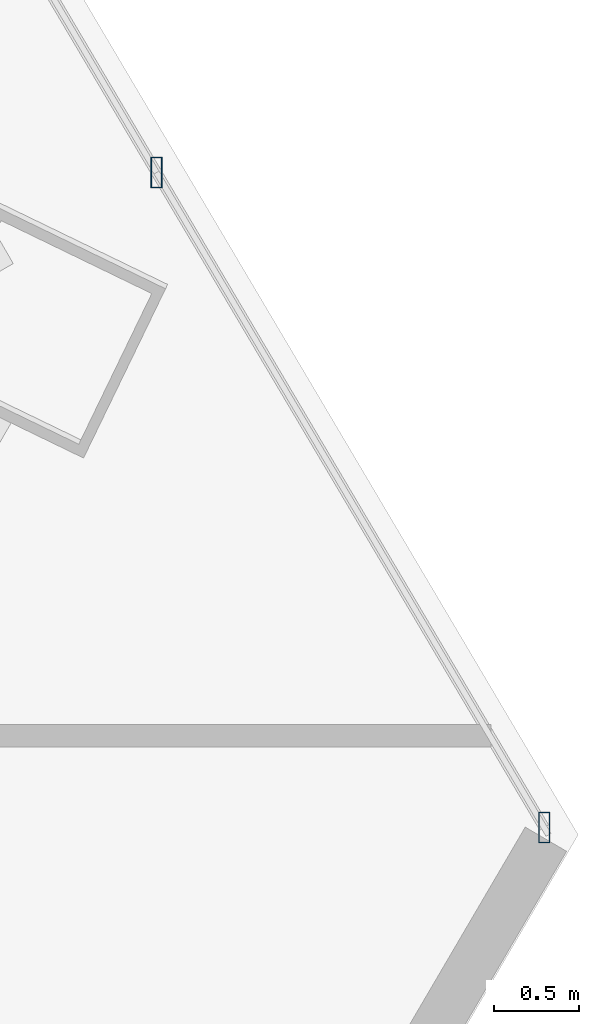
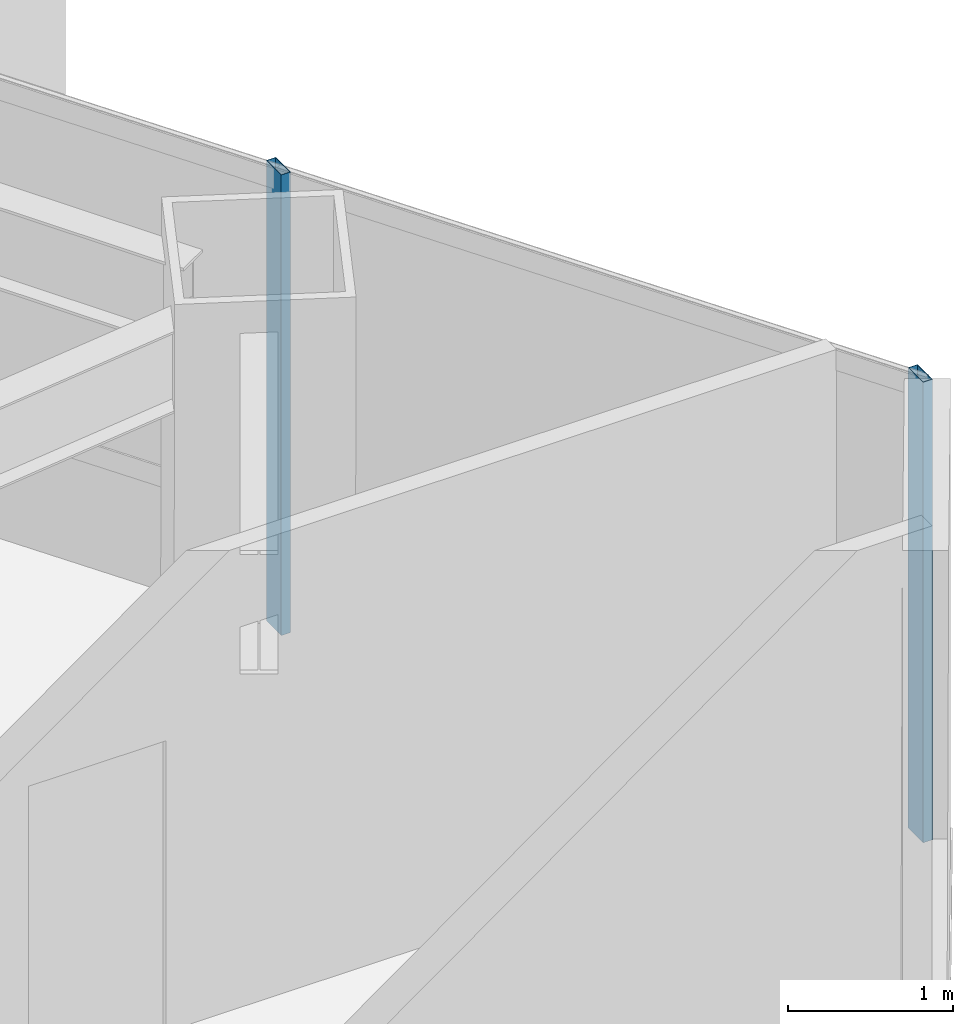
# One storey, part 20 of 35: 2 members, 1 element without a shape of its own.
"""IFC4 building model written with IfcOpenShell, lengths in metres."""

from ifc_helpers import new_model, si_unit, direction, frame, origin, origin_2d, place, context, subcontext, project, spatial, hollow_rectangle, extrude, source, transform, mapped, material, material_profile, profile_set, type_object, type_shapes, element, aggregate, save


model = new_model("IFC4")

# Units and contexts
model_context = context("Model", 3, precision=1e-05, world=origin(), true_north=direction((0.0, 1.0)))
body_context = subcontext(model_context, "Body", "Model", "MODEL_VIEW")
ifc_project = project(units=[si_unit("LENGTHUNIT", "METRE"), si_unit("AREAUNIT", "SQUARE_METRE"), si_unit("VOLUMEUNIT", "CUBIC_METRE"), si_unit("PLANEANGLEUNIT", "RADIAN"), si_unit("MASSUNIT", "GRAM", prefix="KILO")], contexts=[model_context])

# Site, building, storey
site_placement = place(None, origin())
site = spatial("IfcSite", under=ifc_project, at=site_placement, CompositionType="ELEMENT")
building_placement = place(site_placement, origin())
building = spatial("IfcBuilding", under=site, at=building_placement, Name="Caelisora Broadcast Tower", CompositionType="ELEMENT")
storey_placement = place(building_placement, frame((0.0, 0.0, 94.449951171875)))
storey = spatial("IfcBuildingStorey", under=building, at=storey_placement, Name="L24", CompositionType="ELEMENT", Elevation=94.449951171875)

# Curtain wall, members
ifc_material_1 = material(Name="Unitised Aluminium and Low-E Glass Curtain Wall", Category="glass")
curtain_wall_type = type_object("IfcCurtainWallType", Name="CW-Z2", PredefinedType="NOTDEFINED", material=ifc_material_1)
curtain_wall_placement = place(storey_placement, origin())
curtain_wall = element("IfcCurtainWall", 1, at=curtain_wall_placement, inside=storey, type_object=curtain_wall_type, Name="L24 curtain wall CW-Z2", PredefinedType="NOTDEFINED")
ifc_material_2 = material(Name="Aluminium 6063-T6 Anodised Terracotta Bronze", Category="aluminium")
ifc_material_profile = material_profile(ifc_material_2, hollow_rectangle(XDim=0.06494140625, YDim=0.179931640625, WallThickness=0.00341796875, at=origin_2d()), Name="Aluminium 6063-T6 Anodised Terracotta Bronze")
ifc_profile_set = profile_set([ifc_material_profile], Name="Aluminium 6063-T6 Anodised Terracotta Bronze")
member_type = type_object("IfcMemberType", Name="CWM-02", PredefinedType="MULLION", material=ifc_profile_set)
shared_shape = source(origin(), body_context, "Body", "SweptSolid", [
    extrude(hollow_rectangle(XDim=0.06494140625, YDim=0.179931640625, WallThickness=0.00341796875, at=origin_2d()), origin(), (0.0, 0.0, 1.0), 3.400146484375),
])
type_shapes(member_type, [shared_shape])
member_1_placement = place(storey_placement, frame((61.9169921875, 20.39599609375, 0.0), z_axis=(0.0, 0.0, 1.0), x_axis=(1.0, 0.0, 0.0)))
member_1 = element("IfcMember", 2, at=member_1_placement, type_object=member_type, Name="L24-CW-B03 mullion #2", PredefinedType="MULLION", context=body_context, shape_type="MappedRepresentation", body=[
    mapped(shared_shape, transform((0.0, 0.0, 0.0), scale=1.0)),
])
member_2_placement = place(storey_placement, frame((64.185546875, 16.56298828125, 0.0), z_axis=(0.0, 0.0, 1.0), x_axis=(1.0, 0.0, 0.0)))
member_2 = element("IfcMember", 3, at=member_2_placement, type_object=member_type, Name="L24-CW-B03 mullion #3", PredefinedType="MULLION", context=body_context, shape_type="MappedRepresentation", body=[
    mapped(shared_shape, transform((0.0, 0.0, 0.0), scale=1.0)),
])
aggregate(curtain_wall, [member_1, member_2])

save(model, "model.ifc")
